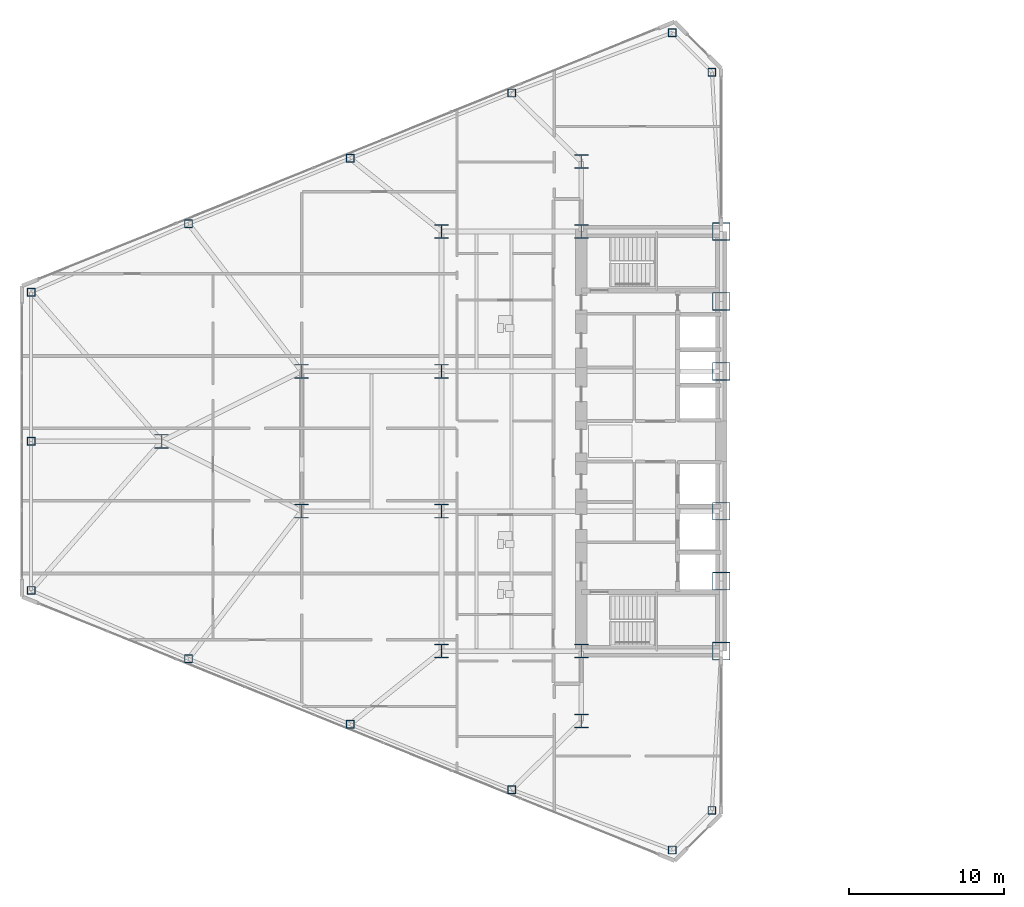
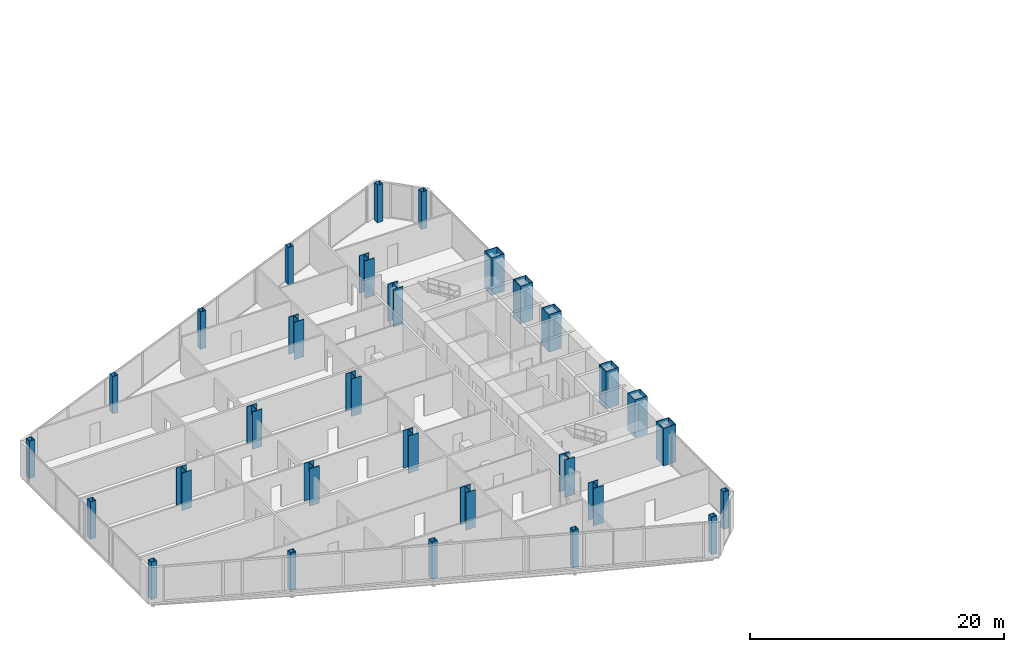
# One storey, part 1 of 25: 30 columns.
"""IFC4 building model written with IfcOpenShell, lengths in metres."""

from ifc_helpers import new_model, si_unit, direction, frame, origin, origin_2d, place, context, subcontext, project, spatial, hollow_rectangle, i_section, extrude, source, transform, mapped, material, material_profile, profile_set, type_object, type_shapes, element, save


model = new_model("IFC4")

# Units and contexts
model_context = context("Model", 3, precision=1e-05, world=origin(), true_north=direction((0.0, 1.0)))
body_context = subcontext(model_context, "Body", "Model", "MODEL_VIEW")
ifc_project = project(units=[si_unit("LENGTHUNIT", "METRE"), si_unit("AREAUNIT", "SQUARE_METRE"), si_unit("VOLUMEUNIT", "CUBIC_METRE"), si_unit("PLANEANGLEUNIT", "RADIAN"), si_unit("MASSUNIT", "GRAM", prefix="KILO")], contexts=[model_context])

# Site, building, storey
site_placement = place(None, origin())
site = spatial("IfcSite", under=ifc_project, at=site_placement, CompositionType="ELEMENT")
building_placement = place(site_placement, origin())
building = spatial("IfcBuilding", under=site, at=building_placement, Name="Seokmaru Belvedere", CompositionType="ELEMENT")
storey_placement = place(building_placement, frame((0.0, 0.0, 51.300048828125)))
storey = spatial("IfcBuildingStorey", under=building, at=storey_placement, Name="L13", CompositionType="ELEMENT", Elevation=51.300048828125)

# Columns
ifc_material_1 = material(Name="Steel HSA650 (650 MPa)", Category="steel")
ifc_material_profile_1 = material_profile(ifc_material_1, hollow_rectangle(XDim=1.14990234375, YDim=1.14990234375, WallThickness=0.048095703125, at=origin_2d()), Name="BOX-1150x1150x48")
ifc_profile_set_1 = profile_set([ifc_material_profile_1], Name="Steel HSA650 (650 MPa)")
column_type_1 = type_object("IfcColumnType", Name="Portal Spine Column BOX-1150", PredefinedType="COLUMN", material=ifc_profile_set_1)
shared_shape_1 = source(origin(), body_context, "Body", "SweptSolid", [
    extrude(hollow_rectangle(XDim=1.14990234375, YDim=1.14990234375, WallThickness=0.048095703125, at=origin_2d()), origin(), (0.0, 0.0, 1.0), 3.599853515625),
])
type_shapes(column_type_1, [shared_shape_1])
for number, where, z_axis, x_axis, name in (
    (1, (-27.5, -13.5, 0.0), (0.0, 0.0, 1.0), (1.0, 0.0, 0.0), "L13 Column WS1"),
    (2, (-27.5, -9.0, 0.0), (0.0, 0.0, 1.0), (1.0, 0.0, 0.0), "L13 Column WS2"),
    (3, (-27.5, -4.5, 0.0), (0.0, 0.0, 1.0), (1.0, 0.0, 0.0), "L13 Column WS3"),
    (4, (-27.5, 4.5, 0.0), (0.0, 0.0, 1.0), (1.0, 0.0, 0.0), "L13 Column WS4"),
    (5, (-27.5, 9.0, 0.0), (0.0, 0.0, 1.0), (1.0, 0.0, 0.0), "L13 Column WS5"),
    (6, (-27.5, 13.5, 0.0), (0.0, 0.0, 1.0), (1.0, 0.0, 0.0), "L13 Column WS6"),
):
    element("IfcColumn", number, at=place(storey_placement, frame(where, z_axis=z_axis, x_axis=x_axis)), inside=storey, type_object=column_type_1, Name=name, PredefinedType="COLUMN", context=body_context, shape_type="MappedRepresentation", body=[
        mapped(shared_shape_1, transform((0.0, 0.0, 0.0), scale=1.0)),
    ])
ifc_material_profile_2 = material_profile(ifc_material_1, i_section(OverallWidth=0.89990234375, OverallDepth=0.89990234375, WebThickness=0.035888671875, FlangeThickness=0.054931640625, at=origin_2d()), Name="H-900x900x36x55")
ifc_profile_set_2 = profile_set([ifc_material_profile_2], Name="Steel HSA650 (650 MPa)")
column_type_2 = type_object("IfcColumnType", Name="Lower Interior Column H-900", PredefinedType="COLUMN", material=ifc_profile_set_2)
shared_shape_2 = source(origin(), body_context, "Body", "SweptSolid", [
    extrude(i_section(OverallWidth=0.89990234375, OverallDepth=0.89990234375, WebThickness=0.035888671875, FlangeThickness=0.054931640625, at=origin_2d()), origin(), (0.0, 0.0, 1.0), 3.599853515625),
])
type_shapes(column_type_2, [shared_shape_2])
for number, where, z_axis, x_axis, name in (
    (7, (-36.5, -18.0, 0.0), (0.0, 0.0, 1.0), (1.0, 0.0, 0.0), "L13 Column WC1"),
    (8, (-36.5, -13.5, 0.0), (0.0, 0.0, 1.0), (1.0, 0.0, 0.0), "L13 Column WC2"),
    (9, (-36.5, 13.5, 0.0), (0.0, 0.0, 1.0), (1.0, 0.0, 0.0), "L13 Column WC3"),
    (10, (-36.5, 18.0, 0.0), (0.0, 0.0, 1.0), (1.0, 0.0, 0.0), "L13 Column WC4"),
    (11, (-45.5, -13.5, 0.0), (0.0, 0.0, 1.0), (1.0, 0.0, 0.0), "L13 Column WG5_1"),
    (12, (-45.5, -4.5, 0.0), (0.0, 0.0, 1.0), (1.0, 0.0, 0.0), "L13 Column WG5_2"),
    (13, (-45.5, 4.5, 0.0), (0.0, 0.0, 1.0), (1.0, 0.0, 0.0), "L13 Column WG5_3"),
    (14, (-45.5, 13.5, 0.0), (0.0, 0.0, 1.0), (1.0, 0.0, 0.0), "L13 Column WG5_4"),
    (15, (-54.5, -4.5, 0.0), (0.0, 0.0, 1.0), (1.0, 0.0, 0.0), "L13 Column WG4P_1"),
    (16, (-54.5, 4.5, 0.0), (0.0, 0.0, 1.0), (1.0, 0.0, 0.0), "L13 Column WG4P_2"),
    (17, (-63.5, 0.0, 0.0), (0.0, 0.0, 1.0), (1.0, 0.0, 0.0), "L13 Column WG3P_1"),
):
    element("IfcColumn", number, at=place(storey_placement, frame(where, z_axis=z_axis, x_axis=x_axis)), inside=storey, type_object=column_type_2, Name=name, PredefinedType="COLUMN", context=body_context, shape_type="MappedRepresentation", body=[
        mapped(shared_shape_2, transform((0.0, 0.0, 0.0), scale=1.0)),
    ])
ifc_material_2 = material(Name="Steel SM355 (355 MPa)", Category="steel")
ifc_material_profile_3 = material_profile(ifc_material_2, hollow_rectangle(XDim=0.5, YDim=0.5, WallThickness=0.02001953125, at=origin_2d()), Name="HSS-500x500x20")
ifc_profile_set_3 = profile_set([ifc_material_profile_3], Name="Steel SM355 (355 MPa)")
column_type_3 = type_object("IfcColumnType", Name="Perimeter Facet Column HSS-500", PredefinedType="COLUMN", material=ifc_profile_set_3)
shared_shape_3 = source(origin(), body_context, "Body", "SweptSolid", [
    extrude(hollow_rectangle(XDim=0.5, YDim=0.5, WallThickness=0.02001953125, at=origin_2d()), origin(), (0.0, 0.0, 1.0), 3.599853515625),
])
type_shapes(column_type_3, [shared_shape_3])
for number, where, z_axis, x_axis, name in (
    (18, (-28.10009765625, -23.75146484375, 0.0), (0.0, 0.0, 1.0), (1.0, 0.0, 0.0), "L13 Column WF1"),
    (19, (-28.10009765625, 23.75146484375, 0.0), (0.0, 0.0, 1.0), (1.0, 0.0, 0.0), "L13 Column WF2"),
    (20, (-30.643310546875, 26.294677734375, 0.0), (0.0, 0.0, 1.0), (1.0, 0.0, 0.0), "L13 Column WF3"),
    (21, (-71.89990234375, 9.595703125, 0.0), (0.0, 0.0, 1.0), (1.0, 0.0, 0.0), "L13 Column WF4"),
    (22, (-71.89990234375, -9.595703125, 0.0), (0.0, 0.0, 1.0), (1.0, 0.0, 0.0), "L13 Column WF5"),
    (23, (-30.643310546875, -26.294677734375, 0.0), (0.0, 0.0, 1.0), (1.0, 0.0, 0.0), "L13 Column WF6"),
    (24, (-40.977294921875, -22.4140625, 0.0), (0.0, 0.0, 1.0), (1.0, 0.0, 0.0), "L13 Column WFLK_S1"),
    (25, (-51.378173828125, -18.2041015625, 0.0), (0.0, 0.0, 1.0), (1.0, 0.0, 0.0), "L13 Column WFLK_S2"),
    (26, (-61.779052734375, -13.994140625, 0.0), (0.0, 0.0, 1.0), (1.0, 0.0, 0.0), "L13 Column WFLK_S3"),
    (27, (-40.977294921875, 22.4140625, 0.0), (0.0, 0.0, 1.0), (1.0, 0.0, 0.0), "L13 Column WFLK_N1"),
    (28, (-51.378173828125, 18.2041015625, 0.0), (0.0, 0.0, 1.0), (1.0, 0.0, 0.0), "L13 Column WFLK_N2"),
    (29, (-61.779052734375, 13.994140625, 0.0), (0.0, 0.0, 1.0), (1.0, 0.0, 0.0), "L13 Column WFLK_N3"),
    (30, (-71.89990234375, 0.0, 0.0), (0.0, 0.0, 1.0), (1.0, 0.0, 0.0), "L13 Column WF_APXM"),
):
    element("IfcColumn", number, at=place(storey_placement, frame(where, z_axis=z_axis, x_axis=x_axis)), inside=storey, type_object=column_type_3, Name=name, PredefinedType="COLUMN", context=body_context, shape_type="MappedRepresentation", body=[
        mapped(shared_shape_3, transform((0.0, 0.0, 0.0), scale=1.0)),
    ])

save(model, "model.ifc")
